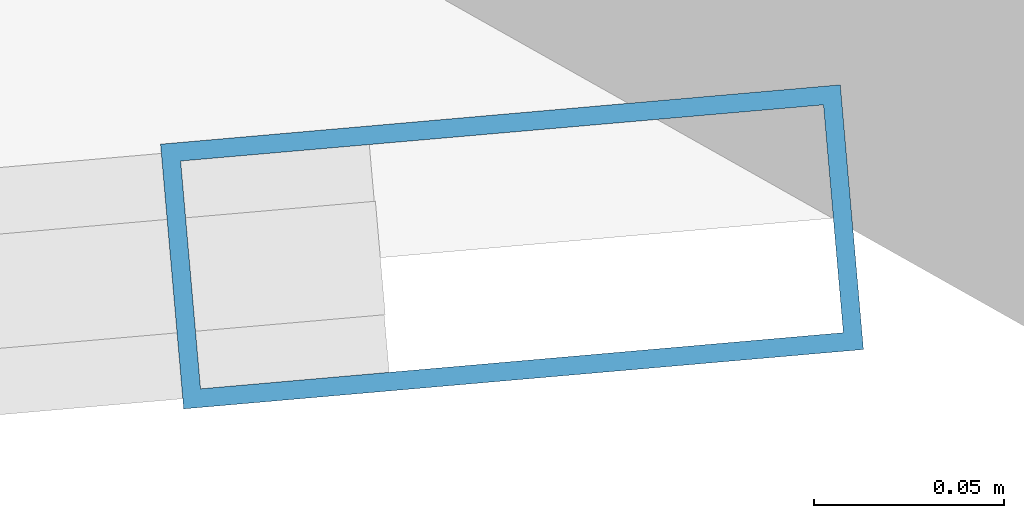
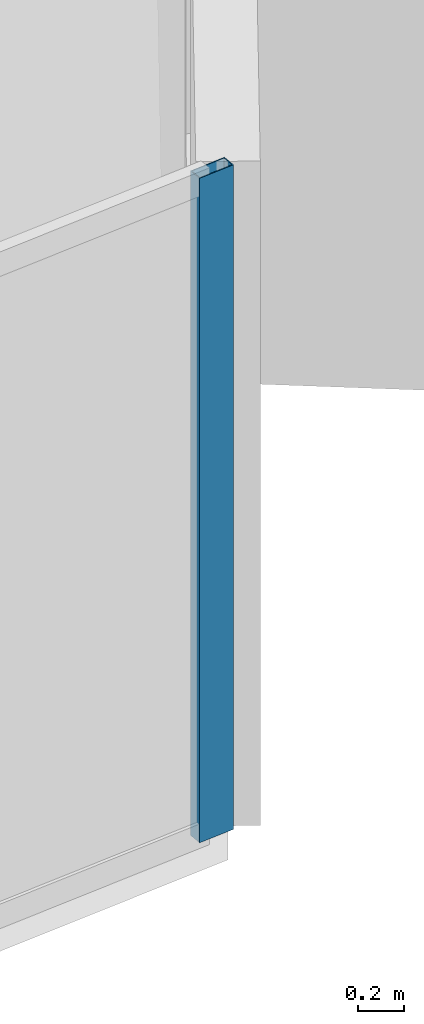
# One storey, part 13 of 23: 1 member, 1 element without a shape of its own.
"""IFC4 building model written with IfcOpenShell, lengths in metres."""

from ifc_helpers import new_model, si_unit, direction, frame, origin, origin_2d, place, context, subcontext, project, spatial, hollow_rectangle, extrude, material, layer, layer_set, material_profile, profile_set, type_object, element, aggregate, save


model = new_model("IFC4")

# Units and contexts
model_context = context("Model", 3, precision=1e-05, world=origin(), true_north=direction((0.0, 1.0)))
body_context = subcontext(model_context, "Body", "Model", "MODEL_VIEW")
ifc_project = project(units=[si_unit("LENGTHUNIT", "METRE"), si_unit("AREAUNIT", "SQUARE_METRE"), si_unit("VOLUMEUNIT", "CUBIC_METRE"), si_unit("PLANEANGLEUNIT", "RADIAN"), si_unit("MASSUNIT", "GRAM", prefix="KILO")], contexts=[model_context])

# Site, building, storey
site_placement = place(None, origin())
site = spatial("IfcSite", under=ifc_project, at=site_placement, CompositionType="ELEMENT")
building_placement = place(site_placement, origin())
building = spatial("IfcBuilding", under=site, at=building_placement, Name="Qianvela Tower", CompositionType="ELEMENT")
storey_placement = place(building_placement, frame((0.0, 0.0, 63.60009765625)))
storey = spatial("IfcBuildingStorey", under=building, at=storey_placement, Name="L15", CompositionType="ELEMENT", Elevation=63.60009765625)

# Curtain wall, member
ifc_material_1 = material(Name="Anodised Architectural Aluminium and Low-E Glass", Category="aluminium")
ifc_layer = layer(ifc_material_1, 0.179931640625)
ifc_layer_set = layer_set([ifc_layer], Name="Anodised Architectural Aluminium and Low-E Glass")
curtain_wall_type = type_object("IfcCurtainWallType", Name="CW-COLIV-Z12", PredefinedType="USERDEFINED", material=ifc_layer_set)
curtain_wall_placement = place(storey_placement, origin())
curtain_wall = element("IfcCurtainWall", 1, at=curtain_wall_placement, inside=storey, type_object=curtain_wall_type, Name="L15 CW-COLIV-Z12 Curtain Wall 06C", ObjectType="CURTAIN_WALL_SYSTEM", PredefinedType="USERDEFINED")
ifc_material_2 = material(Name="Anodised Architectural Aluminium 6063-T6", Category="aluminium")
ifc_material_profile = material_profile(ifc_material_2, hollow_rectangle(XDim=0.070068359375, YDim=0.179931640625, WallThickness=0.0048828125, at=origin_2d()), Name="ALU-MULL-70x180")
ifc_profile_set = profile_set([ifc_material_profile], Name="Anodised Architectural Aluminium 6063-T6")
member_type = type_object("IfcMemberType", Name="CW-COLIV-Z12-MULL", PredefinedType="MULLION", material=ifc_profile_set)
member_placement = place(storey_placement, frame((54.274169921875, 14.201171875, 0.0), z_axis=(0.0, 0.0, 1.0), x_axis=(-0.087033968319, 0.996205344474, 0.0)))
member = element("IfcMember", 2, at=member_placement, type_object=member_type, Name="CW-3 mullion 2", PredefinedType="MULLION", context=body_context, shape_type="SweptSolid", body=[
    extrude(hollow_rectangle(XDim=0.070068359375, YDim=0.179931640625, WallThickness=0.0048828125, at=origin_2d()), origin(), (0.0, 0.0, 1.0), 3.52001953125),
])
aggregate(curtain_wall, [member])

save(model, "model.ifc")
